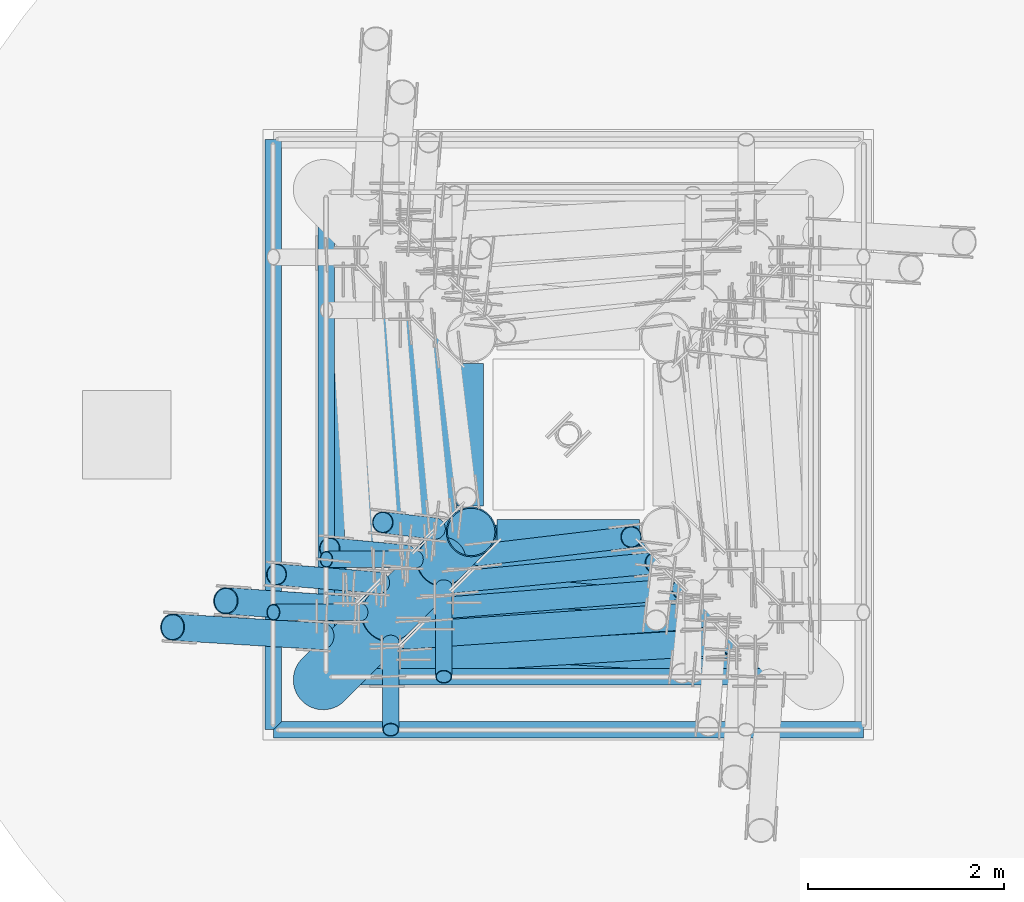
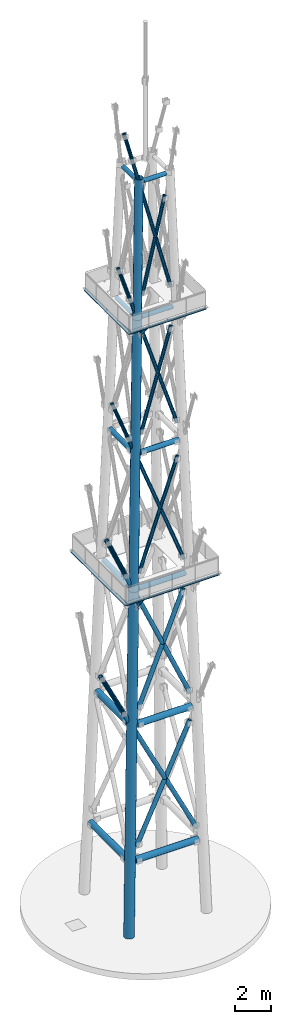
# One storey, part 1 of 25: 38 members.
"""IFC4 building model written with IfcOpenShell, lengths in metres."""

from ifc_helpers import new_model, si_unit, direction, frame, origin, origin_2d, place, context, subcontext, project, spatial, hollow_circle, extrude, material, material_profile, profile_set, type_object, element, save


model = new_model("IFC4")

# Units and contexts
model_context = context("Model", 3, precision=1e-05, world=origin(), true_north=direction((0.0, 1.0)))
body_context = subcontext(model_context, "Body", "Model", "MODEL_VIEW")
ifc_project = project(units=[si_unit("LENGTHUNIT", "METRE"), si_unit("AREAUNIT", "SQUARE_METRE"), si_unit("VOLUMEUNIT", "CUBIC_METRE"), si_unit("PLANEANGLEUNIT", "RADIAN"), si_unit("MASSUNIT", "GRAM", prefix="KILO")], contexts=[model_context])

# Site, building, storey
site_placement = place(None, origin())
site = spatial("IfcSite", under=ifc_project, at=site_placement, CompositionType="ELEMENT")
building_placement = place(site_placement, origin())
building = spatial("IfcBuilding", under=site, at=building_placement, Name="Vidyagriha Tower", CompositionType="ELEMENT")
storey_placement = place(building_placement, frame((0.0, 0.0, 318.39990234375)))
storey = spatial("IfcBuildingStorey", under=building, at=storey_placement, Name="RF", CompositionType="ELEMENT", Elevation=318.39990234375)

# Members
ifc_material_1 = material(Name="Steel ASTM A500 Grade C", Category="steel")
ifc_material_profile_1 = material_profile(ifc_material_1, hollow_circle(Radius=0.109619140625, WallThickness=0.008056640625, at=origin_2d()), Name="Broadcast mast lattice brace CHS 219x8 MAST")
ifc_profile_set_1 = profile_set([ifc_material_profile_1], Name="Steel ASTM A500 Grade C")
member_type_1 = type_object("IfcMemberType", Name="Broadcast mast lattice brace CHS 219x8 MAST", PredefinedType="BRACE", material=ifc_profile_set_1)
member_1_placement = place(storey_placement, frame((-1.42578125, 11.220947265625, 24.032470703125), z_axis=(0.348710548946, 0.028097350832, 0.936809207859), x_axis=(-0.080314702295, 0.996769556415, 0.0)))
element("IfcMember", 1, at=member_1_placement, inside=storey, type_object=member_type_1, Name="Broadcast mast brace 3.1a MAST", PredefinedType="BRACE", context=body_context, shape_type="SweptSolid", body=[
    extrude(hollow_circle(Radius=0.109619140625, WallThickness=0.008056640625, at=origin_2d()), origin(), (0.0, 0.0, 1.0), 7.403076171875),
])
member_2_placement = place(storey_placement, frame((-1.92431640625, 11.490966796875, 33.032470703125), z_axis=(-0.348690001157, 0.028145017539, 0.9368154253), x_axis=(-0.080454783909, -0.996758259432, 0.0)))
element("IfcMember", 2, at=member_2_placement, inside=storey, type_object=member_type_1, Name="Broadcast mast brace 3.1b MAST", PredefinedType="BRACE", context=body_context, shape_type="SweptSolid", body=[
    extrude(hollow_circle(Radius=0.109619140625, WallThickness=0.008056640625, at=origin_2d()), origin(), (0.0, 0.0, 1.0), 3.010009765625),
])
member_3_placement = place(storey_placement, frame((-2.973876953125, 11.57568359375, 35.852294921875), z_axis=(0.348706129436, -0.028115532216, -0.936810307448), x_axis=(0.080367349191, 0.996765312992, 0.0)))
element("IfcMember", 3, at=member_3_placement, inside=storey, type_object=member_type_1, Name="Broadcast mast brace 3.1c MAST", PredefinedType="BRACE", context=body_context, shape_type="SweptSolid", body=[
    extrude(hollow_circle(Radius=0.109619140625, WallThickness=0.008056640625, at=origin_2d()), origin(), (0.0, 0.0, 1.0), 12.6171875),
])
member_4_placement = place(storey_placement, frame((-1.15478515625, 11.4970703125, 33.233642578125), z_axis=(0.297919201092, 0.028633048292, 0.954161568167), x_axis=(-0.095669273487, 0.995413175576, 0.0)))
element("IfcMember", 4, at=member_4_placement, inside=storey, type_object=member_type_1, Name="Broadcast mast brace 4.1a MAST", PredefinedType="BRACE", context=body_context, shape_type="SweptSolid", body=[
    extrude(hollow_circle(Radius=0.109619140625, WallThickness=0.008056640625, at=origin_2d()), origin(), (0.0, 0.0, 1.0), 6.846923828125),
])
member_5_placement = place(storey_placement, frame((-1.655029296875, 11.76708984375, 42.233642578125), z_axis=(-0.297934242584, 0.028633127585, 0.954156869231), x_axis=(-0.095664750236, -0.995413610296, 0.0)))
element("IfcMember", 5, at=member_5_placement, inside=storey, type_object=member_type_1, Name="Broadcast mast brace 4.1b MAST", PredefinedType="BRACE", context=body_context, shape_type="SweptSolid", body=[
    extrude(hollow_circle(Radius=0.109619140625, WallThickness=0.008056640625, at=origin_2d()), origin(), (0.0, 0.0, 1.0), 2.609130859375),
])
member_6_placement = place(storey_placement, frame((-2.432373046875, 11.841796875, 44.72314453125), z_axis=(0.29790220974, -0.028628457099, -0.954167010998), x_axis=(0.095659479545, 0.995414116824, 0.0)))
element("IfcMember", 6, at=member_6_placement, inside=storey, type_object=member_type_1, Name="Broadcast mast brace 4.1c MAST", PredefinedType="BRACE", context=body_context, shape_type="SweptSolid", body=[
    extrude(hollow_circle(Radius=0.109619140625, WallThickness=0.008056640625, at=origin_2d()), origin(), (0.0, 0.0, 1.0), 12.04150390625),
])
member_7_placement = place(storey_placement, frame((-0.909912109375, 11.772705078125, 42.427734375), z_axis=(0.244452868876, 0.029112534479, 0.969224048007), x_axis=(-0.118256957848, 0.992983027005, 0.0)))
element("IfcMember", 7, at=member_7_placement, inside=storey, type_object=member_type_1, Name="Broadcast mast brace 5.1a MAST", PredefinedType="BRACE", context=body_context, shape_type="SweptSolid", body=[
    extrude(hollow_circle(Radius=0.109619140625, WallThickness=0.008056640625, at=origin_2d()), origin(), (0.0, 0.0, 1.0), 6.33984375),
])
member_8_placement = place(storey_placement, frame((-1.360107421875, 12.042724609375, 51.427734375), z_axis=(-0.244467862664, 0.029097967109, 0.969220703676), x_axis=(-0.118191463058, -0.992990824761, 0.0)))
element("IfcMember", 8, at=member_8_placement, inside=storey, type_object=member_type_1, Name="Broadcast mast brace 5.1b MAST", PredefinedType="BRACE", context=body_context, shape_type="SweptSolid", body=[
    extrude(hollow_circle(Radius=0.109619140625, WallThickness=0.008056640625, at=origin_2d()), origin(), (0.0, 0.0, 1.0), 2.173095703125),
])
member_9_placement = place(storey_placement, frame((-1.891357421875, 12.10595703125, 53.533935546875), z_axis=(0.24446282321, -0.029082425805, -0.969222441227), x_axis=(0.11813161898, 0.992997945918, 0.0)))
element("IfcMember", 9, at=member_9_placement, inside=storey, type_object=member_type_1, Name="Broadcast mast brace 5.1c MAST", PredefinedType="BRACE", context=body_context, shape_type="SweptSolid", body=[
    extrude(hollow_circle(Radius=0.109619140625, WallThickness=0.008056640625, at=origin_2d()), origin(), (0.0, 0.0, 1.0), 11.458984375),
])
ifc_material_2 = material(Name="Steel ASTM A500 Grade C", Category="steel")
ifc_material_profile_2 = material_profile(ifc_material_2, hollow_circle(Radius=0.136474609375, WallThickness=0.010009765625, at=origin_2d()), Name="Broadcast mast lattice brace CHS 273x10 MAST")
ifc_profile_set_2 = profile_set([ifc_material_profile_2], Name="Steel ASTM A500 Grade C")
member_type_2 = type_object("IfcMemberType", Name="Broadcast mast lattice brace CHS 273x10 MAST", PredefinedType="BRACE", material=ifc_profile_set_2)
member_10_placement = place(storey_placement, frame((-1.9189453125, 10.67626953125, 5.8759765625), z_axis=(0.441472376731, 0.026916100155, 0.896871040973), x_axis=(-0.060855931649, 0.998146560172, 0.0)))
element("IfcMember", 10, at=member_10_placement, inside=storey, type_object=member_type_2, Name="Broadcast mast brace 1.1a MAST", PredefinedType="BRACE", context=body_context, shape_type="SweptSolid", body=[
    extrude(hollow_circle(Radius=0.136474609375, WallThickness=0.010009765625, at=origin_2d()), origin(), (0.0, 0.0, 1.0), 8.081787109375),
])
member_11_placement = place(storey_placement, frame((-2.510986328125, 10.9462890625, 14.8759765625), z_axis=(-0.441519701467, 0.0269089794, 0.896847958153), x_axis=(-0.060833394533, -0.998147933981, 0.0)))
element("IfcMember", 11, at=member_11_placement, inside=storey, type_object=member_type_2, Name="Broadcast mast brace 1.1b MAST", PredefinedType="BRACE", context=body_context, shape_type="SweptSolid", body=[
    extrude(hollow_circle(Radius=0.136474609375, WallThickness=0.010009765625, at=origin_2d()), origin(), (0.0, 0.0, 1.0), 3.44775390625),
])
member_12_placement = place(storey_placement, frame((-4.033203125, 11.0390625, 17.968017578125), z_axis=(0.441472965129, -0.026908483436, -0.896870979896), x_axis=(0.0608386936, 0.998147611008, 0.0)))
element("IfcMember", 12, at=member_12_placement, inside=storey, type_object=member_type_2, Name="Broadcast mast brace 1.1c MAST", PredefinedType="BRACE", context=body_context, shape_type="SweptSolid", body=[
    extrude(hollow_circle(Radius=0.136474609375, WallThickness=0.010009765625, at=origin_2d()), origin(), (0.0, 0.0, 1.0), 13.482421875),
])
member_13_placement = place(storey_placement, frame((-1.646728515625, 10.9501953125, 15.00244140625), z_axis=(0.396585939249, 0.027508666167, 0.91758534539), x_axis=(-0.069197429276, 0.99760298505, 0.0)))
element("IfcMember", 13, at=member_13_placement, inside=storey, type_object=member_type_2, Name="Broadcast mast brace 2.1a MAST", PredefinedType="BRACE", context=body_context, shape_type="SweptSolid", body=[
    extrude(hollow_circle(Radius=0.136474609375, WallThickness=0.010009765625, at=origin_2d()), origin(), (0.0, 0.0, 1.0), 7.623779296875),
])
member_14_placement = place(storey_placement, frame((-2.2431640625, 11.22021484375, 24.00244140625), z_axis=(-0.396616383071, 0.027475968612, 0.917573166471), x_axis=(-0.069110292559, -0.997609025351, 0.0)))
element("IfcMember", 14, at=member_14_placement, inside=storey, type_object=member_type_2, Name="Broadcast mast brace 2.1b MAST", PredefinedType="BRACE", context=body_context, shape_type="SweptSolid", body=[
    extrude(hollow_circle(Radius=0.136474609375, WallThickness=0.010009765625, at=origin_2d()), origin(), (0.0, 0.0, 1.0), 3.1455078125),
])
member_15_placement = place(storey_placement, frame((-3.49072265625, 11.306640625, 26.888671875), z_axis=(0.396595638699, -0.027516496341, -0.91758091839), x_axis=(0.069215346833, 0.997601742061, 0.0)))
element("IfcMember", 15, at=member_15_placement, inside=storey, type_object=member_type_2, Name="Broadcast mast brace 2.1c MAST", PredefinedType="BRACE", context=body_context, shape_type="SweptSolid", body=[
    extrude(hollow_circle(Radius=0.136474609375, WallThickness=0.010009765625, at=origin_2d()), origin(), (0.0, 0.0, 1.0), 12.953857421875),
])
ifc_material_3 = material(Name="Steel ASTM A500 Grade C", Category="steel")
ifc_material_profile_3 = material_profile(ifc_material_3, hollow_circle(Radius=0.25390625, WallThickness=0.0126953125, at=origin_2d()), Name="Broadcast mast lattice leg CHS 508x13 MAST")
ifc_profile_set_3 = profile_set([ifc_material_profile_3], Name="Steel ASTM A500 Grade C")
member_type_3 = type_object("IfcMemberType", Name="Broadcast mast lattice leg CHS 508x13 MAST", PredefinedType="USERDEFINED", material=ifc_profile_set_3)
member_16_placement = place(storey_placement, frame((-1.283447265625, 11.716552734375, 40.550048828125), z_axis=(0.029971038586, 0.029971038586, 0.999101333045), x_axis=(-0.707106781187, 0.707106781187, 0.0)))
element("IfcMember", 16, at=member_16_placement, inside=storey, type_object=member_type_3, Name="Broadcast mast leg 1.3 MAST", ObjectType="MAST", PredefinedType="USERDEFINED", context=body_context, shape_type="SweptSolid", body=[
    extrude(hollow_circle(Radius=0.25390625, WallThickness=0.0126953125, at=origin_2d()), origin(), (0.0, 0.0, 1.0), 9.7587890625),
])
ifc_material_4 = material(Name="Steel ASTM A500 Grade C", Category="steel")
ifc_material_profile_4 = material_profile(ifc_material_4, hollow_circle(Radius=0.279296875, WallThickness=0.01611328125, at=origin_2d()), Name="Broadcast mast lattice leg CHS 559x16 MAST")
ifc_profile_set_4 = profile_set([ifc_material_profile_4], Name="Steel ASTM A500 Grade C")
member_type_4 = type_object("IfcMemberType", Name="Broadcast mast lattice leg CHS 559x16 MAST", PredefinedType="USERDEFINED", material=ifc_profile_set_4)
member_17_placement = place(storey_placement, frame((-1.823486328125, 11.176513671875, 22.550048828125), z_axis=(0.029971320793, 0.029971320793, 0.999101316114), x_axis=(-0.707106781187, 0.707106781187, 0.0)))
element("IfcMember", 17, at=member_17_placement, inside=storey, type_object=member_type_4, Name="Broadcast mast leg 1.2 MAST", ObjectType="MAST", PredefinedType="USERDEFINED", context=body_context, shape_type="SweptSolid", body=[
    extrude(hollow_circle(Radius=0.279296875, WallThickness=0.01611328125, at=origin_2d()), origin(), (0.0, 0.0, 1.0), 18.466552734375),
])
ifc_material_5 = material(Name="Steel ASTM A572 Grade 50", Category="steel")
ifc_material_profile_5 = material_profile(ifc_material_5, hollow_circle(Radius=0.304931640625, WallThickness=0.02490234375, at=origin_2d()), Name="Broadcast mast lattice leg CHS 610x25 MAST")
ifc_profile_set_5 = profile_set([ifc_material_profile_5], Name="Steel ASTM A572 Grade 50")
member_type_5 = type_object("IfcMemberType", Name="Broadcast mast lattice leg CHS 610x25 MAST", PredefinedType="USERDEFINED", material=ifc_profile_set_5)
member_18_placement = place(storey_placement, frame((-2.49853515625, 10.50146484375, 0.050048828125), z_axis=(0.029972081558, 0.029972081558, 0.99910127047), x_axis=(-0.707106781187, 0.707106781187, 0.0)))
element("IfcMember", 18, at=member_18_placement, inside=storey, type_object=member_type_5, Name="Broadcast mast leg 1.1 MAST", ObjectType="MAST", PredefinedType="USERDEFINED", context=body_context, shape_type="SweptSolid", body=[
    extrude(hollow_circle(Radius=0.304931640625, WallThickness=0.02490234375, at=origin_2d()), origin(), (0.0, 0.0, 1.0), 22.970703125),
])
ifc_material_6 = material(Name="Steel ASTM A500 Grade C", Category="steel")
ifc_material_profile_6 = material_profile(ifc_material_6, hollow_circle(Radius=0.136474609375, WallThickness=0.010009765625, at=origin_2d()), Name="Broadcast mast lattice ring CHS 273x10 MAST")
ifc_profile_set_6 = profile_set([ifc_material_profile_6], Name="Steel ASTM A500 Grade C")
member_type_6 = type_object("IfcMemberType", Name="Broadcast mast lattice ring CHS 273x10 MAST", PredefinedType="STRUT", material=ifc_profile_set_6)
for number, where, z_axis, x_axis, name in (
    (19, (-0.99609375, 11.72998046875, 41.0), (1.0, 0.0, 0.0), (0.0, 1.0, 0.0), "Broadcast mast ring 5.1 MAST"),
    (20, (-1.27001953125, 13.99609375, 41.0), (0.0, -1.0, 0.0), (1.0, 0.0, 0.0), "Broadcast mast ring 5.4 MAST"),
):
    element("IfcMember", number, at=place(storey_placement, frame(where, z_axis=z_axis, x_axis=x_axis)), inside=storey, type_object=member_type_6, Name=name, PredefinedType="STRUT", context=body_context, shape_type="SweptSolid", body=[
        extrude(hollow_circle(Radius=0.136474609375, WallThickness=0.010009765625, at=origin_2d()), origin(), (0.0, 0.0, 1.0), 1.9921875),
    ])
for number, where, z_axis, x_axis, name in (
    (21, (-0.72607421875, 12.0, 50.0), (1.0, 0.0, 0.0), (0.0, 1.0, 0.0), "Broadcast mast ring 6.1 MAST"),
    (22, (-1.0, 13.72607421875, 50.0), (0.0, -1.0, 0.0), (1.0, 0.0, 0.0), "Broadcast mast ring 6.4 MAST"),
):
    element("IfcMember", number, at=place(storey_placement, frame(where, z_axis=z_axis, x_axis=x_axis)), inside=storey, type_object=member_type_6, Name=name, PredefinedType="STRUT", context=body_context, shape_type="SweptSolid", body=[
        extrude(hollow_circle(Radius=0.136474609375, WallThickness=0.010009765625, at=origin_2d()), origin(), (0.0, 0.0, 1.0), 1.4521484375),
    ])
ifc_material_7 = material(Name="Steel ASTM A500 Grade C", Category="steel")
ifc_material_profile_7 = material_profile(ifc_material_7, hollow_circle(Radius=0.161865234375, WallThickness=0.010009765625, at=origin_2d()), Name="Broadcast mast lattice ring CHS 324x10 MAST")
ifc_profile_set_7 = profile_set([ifc_material_profile_7], Name="Steel ASTM A500 Grade C")
member_type_7 = type_object("IfcMemberType", Name="Broadcast mast lattice ring CHS 324x10 MAST", PredefinedType="STRUT", material=ifc_profile_set_7)
for number, where, z_axis, x_axis, name in (
    (23, (-1.510498046875, 11.18994140625, 23.0), (1.0, 0.0, 0.0), (0.0, 1.0, 0.0), "Broadcast mast ring 3.1 MAST"),
    (24, (-1.81005859375, 14.510498046875, 23.0), (0.0, -1.0, 0.0), (1.0, 0.0, 0.0), "Broadcast mast ring 3.4 MAST"),
):
    element("IfcMember", number, at=place(storey_placement, frame(where, z_axis=z_axis, x_axis=x_axis)), inside=storey, type_object=member_type_7, Name=name, PredefinedType="STRUT", context=body_context, shape_type="SweptSolid", body=[
        extrude(hollow_circle(Radius=0.161865234375, WallThickness=0.010009765625, at=origin_2d()), origin(), (0.0, 0.0, 1.0), 3.02099609375),
    ])
for number, where, z_axis, x_axis, name in (
    (25, (-1.240478515625, 11.4599609375, 32.0), (1.0, 0.0, 0.0), (0.0, 1.0, 0.0), "Broadcast mast ring 4.1 MAST"),
    (26, (-1.5400390625, 14.240478515625, 32.0), (0.0, -1.0, 0.0), (1.0, 0.0, 0.0), "Broadcast mast ring 4.4 MAST"),
):
    element("IfcMember", number, at=place(storey_placement, frame(where, z_axis=z_axis, x_axis=x_axis)), inside=storey, type_object=member_type_7, Name=name, PredefinedType="STRUT", context=body_context, shape_type="SweptSolid", body=[
        extrude(hollow_circle(Radius=0.161865234375, WallThickness=0.010009765625, at=origin_2d()), origin(), (0.0, 0.0, 1.0), 2.48095703125),
    ])
ifc_material_8 = material(Name="Steel ASTM A500 Grade C", Category="steel")
ifc_material_profile_8 = material_profile(ifc_material_8, hollow_circle(Radius=0.203125, WallThickness=0.0126953125, at=origin_2d()), Name="Broadcast mast lattice ring CHS 406x13 MAST")
ifc_profile_set_8 = profile_set([ifc_material_profile_8], Name="Steel ASTM A500 Grade C")
member_type_8 = type_object("IfcMemberType", Name="Broadcast mast lattice ring CHS 406x13 MAST", PredefinedType="STRUT", material=ifc_profile_set_8)
for number, where, z_axis, x_axis, name in (
    (27, (-2.02490234375, 10.64990234375, 5.0), (1.0, 0.0, 0.0), (0.0, 1.0, 0.0), "Broadcast mast ring 1.1 MAST"),
    (28, (-2.35009765625, 15.02490234375, 5.0), (0.0, -1.0, 0.0), (1.0, 0.0, 0.0), "Broadcast mast ring 1.4 MAST"),
):
    element("IfcMember", number, at=place(storey_placement, frame(where, z_axis=z_axis, x_axis=x_axis)), inside=storey, type_object=member_type_8, Name=name, PredefinedType="STRUT", context=body_context, shape_type="SweptSolid", body=[
        extrude(hollow_circle(Radius=0.203125, WallThickness=0.0126953125, at=origin_2d()), origin(), (0.0, 0.0, 1.0), 4.0498046875),
    ])
for number, where, z_axis, x_axis, name in (
    (29, (-1.7548828125, 10.919921875, 14.0), (1.0, 0.0, 0.0), (0.0, 1.0, 0.0), "Broadcast mast ring 2.1 MAST"),
    (30, (-2.080078125, 14.7548828125, 14.0), (0.0, -1.0, 0.0), (1.0, 0.0, 0.0), "Broadcast mast ring 2.4 MAST"),
):
    element("IfcMember", number, at=place(storey_placement, frame(where, z_axis=z_axis, x_axis=x_axis)), inside=storey, type_object=member_type_8, Name=name, PredefinedType="STRUT", context=body_context, shape_type="SweptSolid", body=[
        extrude(hollow_circle(Radius=0.203125, WallThickness=0.0126953125, at=origin_2d()), origin(), (0.0, 0.0, 1.0), 3.509765625),
    ])
ifc_material_9 = material(Name="Steel ASTM A500 Grade C", Category="steel")
ifc_material_profile_9 = material_profile(ifc_material_9, hollow_circle(Radius=0.084228515625, WallThickness=0.008056640625, at=origin_2d()), Name="Broadcast mast platform knee brace CHS 168x8 MAST")
ifc_profile_set_9 = profile_set([ifc_material_profile_9], Name="Steel ASTM A500 Grade C")
member_type_9 = type_object("IfcMemberType", Name="Broadcast mast platform knee brace CHS 168x8 MAST", PredefinedType="BRACE", material=ifc_profile_set_9)
for number, where, z_axis, x_axis, name in (
    (31, (-2.109375, 11.18994140625, 22.0), (-0.611954746035, 0.0, 0.790892779588), (0.0, -1.0, 0.0), "Broadcast mast platform 1 knee brace 1x MAST"),
    (32, (-1.81005859375, 10.890625, 22.0), (0.0, -0.611954746035, 0.790892779588), (1.0, 0.0, 0.0), "Broadcast mast platform 1 knee brace 1y MAST"),
):
    element("IfcMember", number, at=place(storey_placement, frame(where, z_axis=z_axis, x_axis=x_axis)), inside=storey, type_object=member_type_9, Name=name, PredefinedType="BRACE", context=body_context, shape_type="SweptSolid", body=[
        extrude(hollow_circle(Radius=0.084228515625, WallThickness=0.008056640625, at=origin_2d()), origin(), (0.0, 0.0, 1.0), 1.46533203125),
    ])
for number, where, z_axis, x_axis, name in (
    (33, (-3.006103515625, 9.993896484375, 23.118896484375), (1.0, 0.0, 0.0), (0.0, 1.0, 0.0), "Broadcast mast platform 1 edge strut 1 MAST"),
    (34, (-3.006103515625, 16.006103515625, 23.118896484375), (0.0, -1.0, 0.0), (1.0, 0.0, 0.0), "Broadcast mast platform 1 edge strut 4 MAST"),
):
    element("IfcMember", number, at=place(storey_placement, frame(where, z_axis=z_axis, x_axis=x_axis)), inside=storey, type_object=member_type_9, Name=name, PredefinedType="STRUT", context=body_context, shape_type="SweptSolid", body=[
        extrude(hollow_circle(Radius=0.084228515625, WallThickness=0.008056640625, at=origin_2d()), origin(), (0.0, 0.0, 1.0), 6.01220703125),
    ])
for number, where, z_axis, x_axis, name in (
    (35, (-1.5439453125, 11.72998046875, 40.0), (-0.631051682992, 0.0, 0.77574079008), (0.0, -1.0, 0.0), "Broadcast mast platform 2 knee brace 1x MAST"),
    (36, (-1.27001953125, 11.4560546875, 40.0), (0.0, -0.631051682992, 0.77574079008), (1.0, 0.0, 0.0), "Broadcast mast platform 2 knee brace 1y MAST"),
):
    element("IfcMember", number, at=place(storey_placement, frame(where, z_axis=z_axis, x_axis=x_axis)), inside=storey, type_object=member_type_9, Name=name, PredefinedType="BRACE", context=body_context, shape_type="SweptSolid", body=[
        extrude(hollow_circle(Radius=0.084228515625, WallThickness=0.008056640625, at=origin_2d()), origin(), (0.0, 0.0, 1.0), 1.461181640625),
    ])
for number, where, z_axis, x_axis, name in (
    (37, (-2.466064453125, 10.533935546875, 41.093505859375), (1.0, 0.0, 0.0), (0.0, 1.0, 0.0), "Broadcast mast platform 2 edge strut 1 MAST"),
    (38, (-2.466064453125, 15.466064453125, 41.093505859375), (0.0, -1.0, 0.0), (1.0, 0.0, 0.0), "Broadcast mast platform 2 edge strut 4 MAST"),
):
    element("IfcMember", number, at=place(storey_placement, frame(where, z_axis=z_axis, x_axis=x_axis)), inside=storey, type_object=member_type_9, Name=name, PredefinedType="STRUT", context=body_context, shape_type="SweptSolid", body=[
        extrude(hollow_circle(Radius=0.084228515625, WallThickness=0.008056640625, at=origin_2d()), origin(), (0.0, 0.0, 1.0), 4.93212890625),
    ])

save(model, "model.ifc")
